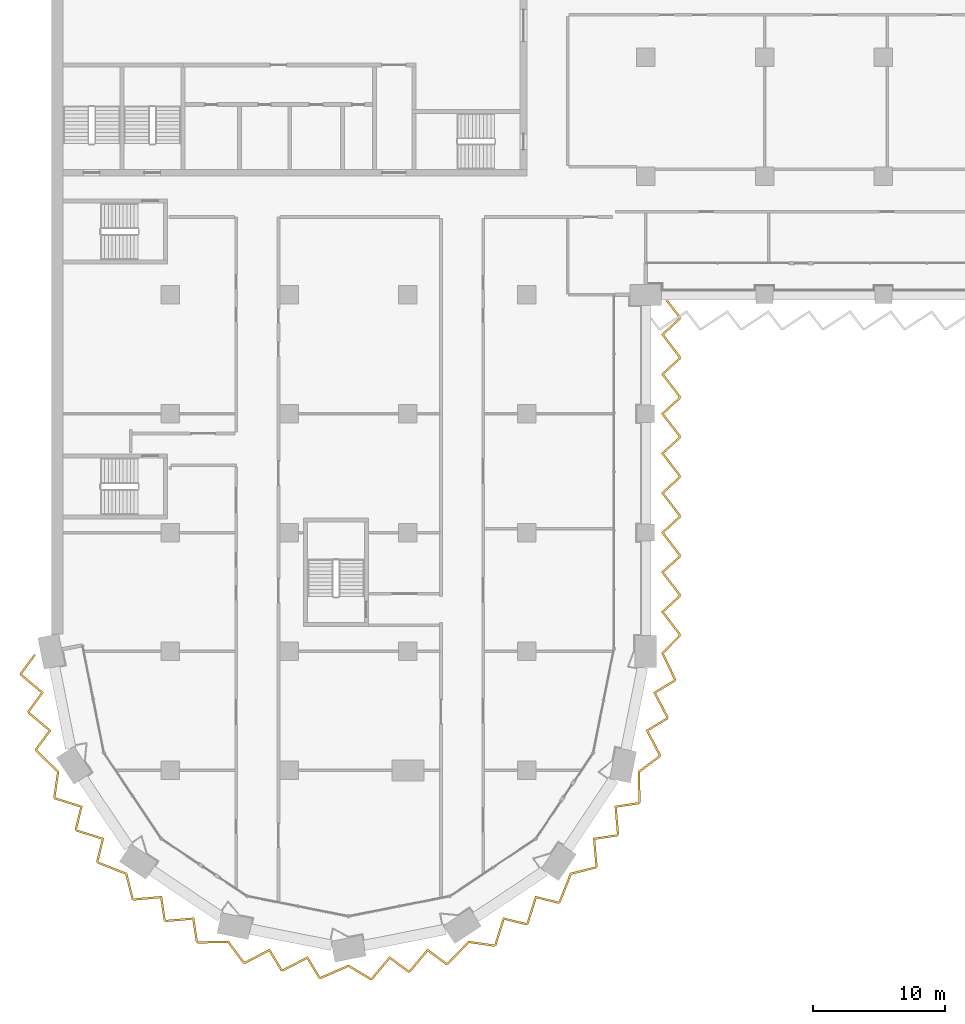
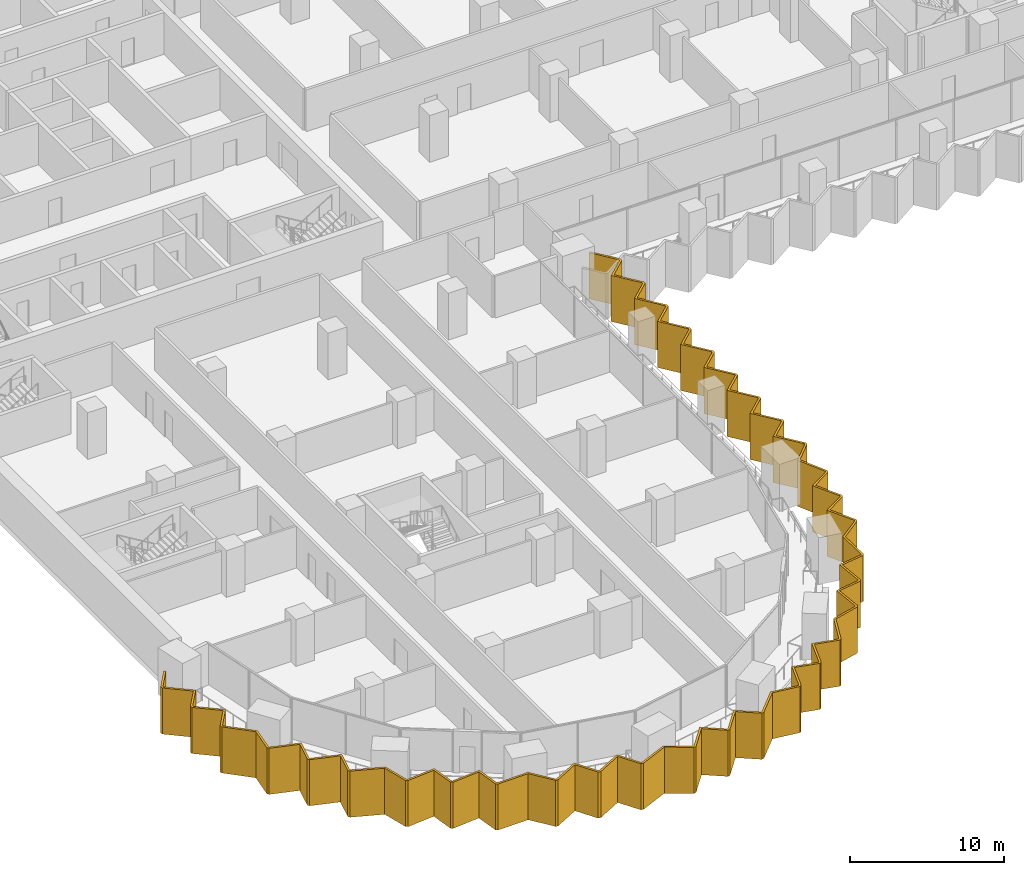
# One storey, part 24 of 29: 1 shading device.
"""IFC4 building model written with IfcOpenShell, lengths in metres."""

from ifc_helpers import new_model, si_unit, direction, frame, origin, place, context, subcontext, project, spatial, polyline, outline, extrude, material, layer, layer_set, type_object, element, save


model = new_model("IFC4")

# Units and contexts
model_context = context("Model", 3, precision=1e-05, world=origin(), true_north=direction((0.0, 1.0)))
body_context = subcontext(model_context, "Body", "Model", "MODEL_VIEW")
ifc_project = project(units=[si_unit("LENGTHUNIT", "METRE"), si_unit("AREAUNIT", "SQUARE_METRE"), si_unit("VOLUMEUNIT", "CUBIC_METRE"), si_unit("PLANEANGLEUNIT", "RADIAN"), si_unit("MASSUNIT", "GRAM", prefix="KILO")], contexts=[model_context])

# Site, building, storey
site_placement = place(None, origin())
site = spatial("IfcSite", under=ifc_project, at=site_placement, CompositionType="ELEMENT")
building_placement = place(site_placement, origin())
building = spatial("IfcBuilding", under=site, at=building_placement, Name="Hunhe Ridgeline Campus", CompositionType="ELEMENT")
storey_placement = place(building_placement, frame((0.0, 0.0, 65.39990234375)))
storey = spatial("IfcBuildingStorey", under=building, at=storey_placement, Name="L15", CompositionType="ELEMENT", Elevation=65.39990234375)

# Shading device
ifc_material = material(Name="Concrete C50", Category="concrete")
ifc_layer = layer(ifc_material, 0.14990234375)
ifc_layer_set = layer_set([ifc_layer], Name="Sawtooth concrete fin 150 Concrete C50")
shading_device_type = type_object("IfcShadingDeviceType", Name="Sawtooth concrete fin 150 Concrete C50", PredefinedType="USERDEFINED", material=ifc_layer_set)
shading_device_placement = place(storey_placement, frame((0.0, 0.0, -0.949951171875)))
element("IfcShadingDevice", 1, at=shading_device_placement, inside=storey, type_object=shading_device_type, Name="Concrete fin screen 1", ObjectType="FIN", PredefinedType="USERDEFINED", context=body_context, shape_type="SweptSolid", body=[
    extrude(outline(polyline([(-1.190185546875, 26.706787109375), (-1.310791015625, 26.795654296875), (-2.374267578125, 25.352294921875), (-2.339111328125, 25.17626953125), (-0.78173828125, 23.868896484375), (-1.80322265625, 22.482177734375), (-1.768310546875, 22.30615234375), (-0.2109375, 20.998779296875), (-1.232421875, 19.612060546875), (-1.197998046875, 19.438720703125), (0.431884765625, 17.864990234375), (0.152099609375, 15.955322265625), (0.24951171875, 15.8095703125), (2.188720703125, 15.19775390625), (1.775634765625, 13.525634765625), (1.875244140625, 13.37646484375), (3.814453125, 12.7646484375), (3.4013671875, 11.09228515625), (3.49951171875, 10.945556640625), (5.607666015625, 10.115234375), (6.080078125, 8.243896484375), (6.2255859375, 8.146484375), (8.251220703125, 8.3232421875), (8.509521484375, 6.620361328125), (8.658935546875, 6.520751953125), (10.6845703125, 6.697509765625), (10.94287109375, 4.99462890625), (11.089599609375, 4.896484375), (13.35498046875, 4.93603515625), (14.507568359375, 3.387939453125), (14.679443359375, 3.353759765625), (16.483154296875, 4.292236328125), (17.37353515625, 2.81787109375), (17.549560546875, 2.78271484375), (19.353271484375, 3.721435546875), (20.24365234375, 2.246826171875), (20.416748046875, 2.21240234375), (22.49462890625, 3.115966796875), (24.15185546875, 2.126708984375), (24.32373046875, 2.160888671875), (25.631103515625, 3.71826171875), (27.017822265625, 2.69677734375), (27.19384765625, 2.731689453125), (28.501220703125, 4.2890625), (29.887939453125, 3.267578125), (30.061279296875, 3.302001953125), (31.635009765625, 4.931884765625), (33.544677734375, 4.652099609375), (33.6904296875, 4.74951171875), (34.30224609375, 6.688720703125), (35.974365234375, 6.275634765625), (36.12353515625, 6.375244140625), (36.7353515625, 8.314453125), (38.40771484375, 7.9013671875), (38.554443359375, 7.99951171875), (39.384765625, 10.107666015625), (41.256103515625, 10.580078125), (41.353515625, 10.7255859375), (41.1767578125, 12.751220703125), (42.879638671875, 13.009521484375), (42.979248046875, 13.158935546875), (42.802490234375, 15.1845703125), (44.50537109375, 15.44287109375), (44.603515625, 15.589599609375), (44.56396484375, 17.85498046875), (46.112060546875, 19.007568359375), (46.146240234375, 19.179443359375), (45.207763671875, 20.983154296875), (46.68212890625, 21.87353515625), (46.71728515625, 22.049560546875), (45.778564453125, 23.853271484375), (47.253173828125, 24.74365234375), (47.287841796875, 24.918212890625), (46.365234375, 26.859130859375), (47.64990234375, 28.1552734375), (47.64990234375, 28.33154296875), (46.37646484375, 29.990966796875), (47.64990234375, 31.15283203125), (47.64990234375, 31.33154296875), (46.37646484375, 32.990966796875), (47.64990234375, 34.15283203125), (47.64990234375, 34.33154296875), (46.37646484375, 35.990966796875), (47.64990234375, 37.15283203125), (47.64990234375, 37.33154296875), (46.37646484375, 38.990966796875), (47.64990234375, 40.15283203125), (47.64990234375, 40.33154296875), (46.37646484375, 41.990966796875), (47.64990234375, 43.15283203125), (47.64990234375, 43.33154296875), (46.37646484375, 44.990966796875), (47.64990234375, 46.15283203125), (47.64990234375, 46.33154296875), (46.37646484375, 47.990966796875), (47.64990234375, 49.15283203125), (47.64990234375, 49.33154296875), (46.37646484375, 50.990966796875), (47.64990234375, 52.15283203125), (47.64990234375, 52.33154296875), (46.33447265625, 54.045654296875), (46.215576171875, 53.954345703125), (47.5, 52.280517578125), (47.5, 52.21923828125), (46.173583984375, 51.009033203125), (47.5, 49.280517578125), (47.5, 49.21923828125), (46.173583984375, 48.009033203125), (47.5, 46.280517578125), (47.5, 46.21923828125), (46.173583984375, 45.009033203125), (47.5, 43.280517578125), (47.5, 43.21923828125), (46.173583984375, 42.009033203125), (47.5, 40.280517578125), (47.5, 40.21923828125), (46.173583984375, 39.009033203125), (47.5, 37.280517578125), (47.5, 37.21923828125), (46.173583984375, 36.009033203125), (47.5, 34.280517578125), (47.5, 34.21923828125), (46.173583984375, 33.009033203125), (47.5, 31.280517578125), (47.5, 31.21923828125), (46.173583984375, 30.009033203125), (47.5, 28.280517578125), (47.5, 28.216796875), (46.1845703125, 26.889892578125), (47.131103515625, 24.898681640625), (47.118896484375, 24.837890625), (45.58056640625, 23.908935546875), (46.559814453125, 22.027099609375), (46.548095703125, 21.9677734375), (45.009765625, 21.038818359375), (45.989013671875, 19.156982421875), (45.976318359375, 19.093505859375), (44.41259765625, 17.92919921875), (44.45263671875, 15.634033203125), (44.41748046875, 15.581298828125), (42.640869140625, 15.311767578125), (42.8251953125, 13.1982421875), (42.791748046875, 13.14794921875), (41.014892578125, 12.87841796875), (41.199462890625, 10.76513671875), (41.16357421875, 10.711181640625), (39.2734375, 10.234130859375), (38.43212890625, 8.09814453125), (38.37939453125, 8.06298828125), (36.634765625, 8.493896484375), (35.99658203125, 6.470703125), (35.946044921875, 6.437255859375), (34.20166015625, 6.8681640625), (33.563232421875, 4.844970703125), (33.509521484375, 4.80908203125), (31.58056640625, 5.091552734375), (29.98583984375, 3.43994140625), (29.923583984375, 3.427734375), (28.476806640625, 4.493408203125), (27.113037109375, 2.86865234375), (27.053466796875, 2.856689453125), (25.606689453125, 3.922607421875), (24.24267578125, 2.297607421875), (24.17919921875, 2.28515625), (22.50537109375, 3.2841796875), (20.400146484375, 2.36865234375), (20.337890625, 2.381103515625), (19.408935546875, 3.91943359375), (17.527099609375, 2.940185546875), (17.4677734375, 2.951904296875), (16.538818359375, 4.490234375), (14.656982421875, 3.510986328125), (14.593505859375, 3.523681640625), (13.42919921875, 5.08740234375), (11.134033203125, 5.04736328125), (11.081298828125, 5.08251953125), (10.811767578125, 6.859130859375), (8.6982421875, 6.6748046875), (8.64794921875, 6.708251953125), (8.37841796875, 8.485107421875), (6.26513671875, 8.300537109375), (6.211181640625, 8.33642578125), (5.734130859375, 10.2265625), (3.59814453125, 11.06787109375), (3.56298828125, 11.12060546875), (3.993896484375, 12.865234375), (1.970703125, 13.50341796875), (1.937255859375, 13.553955078125), (2.3681640625, 15.29833984375), (0.344970703125, 15.936767578125), (0.30908203125, 15.990478515625), (0.591552734375, 17.91943359375), (-1.06005859375, 19.51416015625), (-1.072265625, 19.576416015625), (-0.006591796875, 21.023193359375), (-1.63134765625, 22.386962890625), (-1.643310546875, 22.446533203125), (-0.577392578125, 23.893310546875), (-2.202392578125, 25.25732421875), (-2.214111328125, 25.316650390625), (-1.190185546875, 26.706787109375)])), origin(), (0.0, 0.0, 1.0), 3.650146484375),
])

save(model, "model.ifc")
